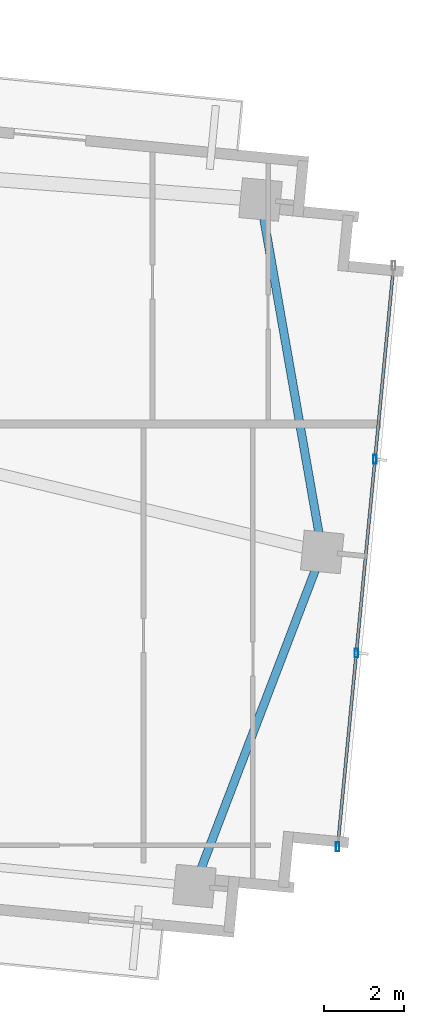
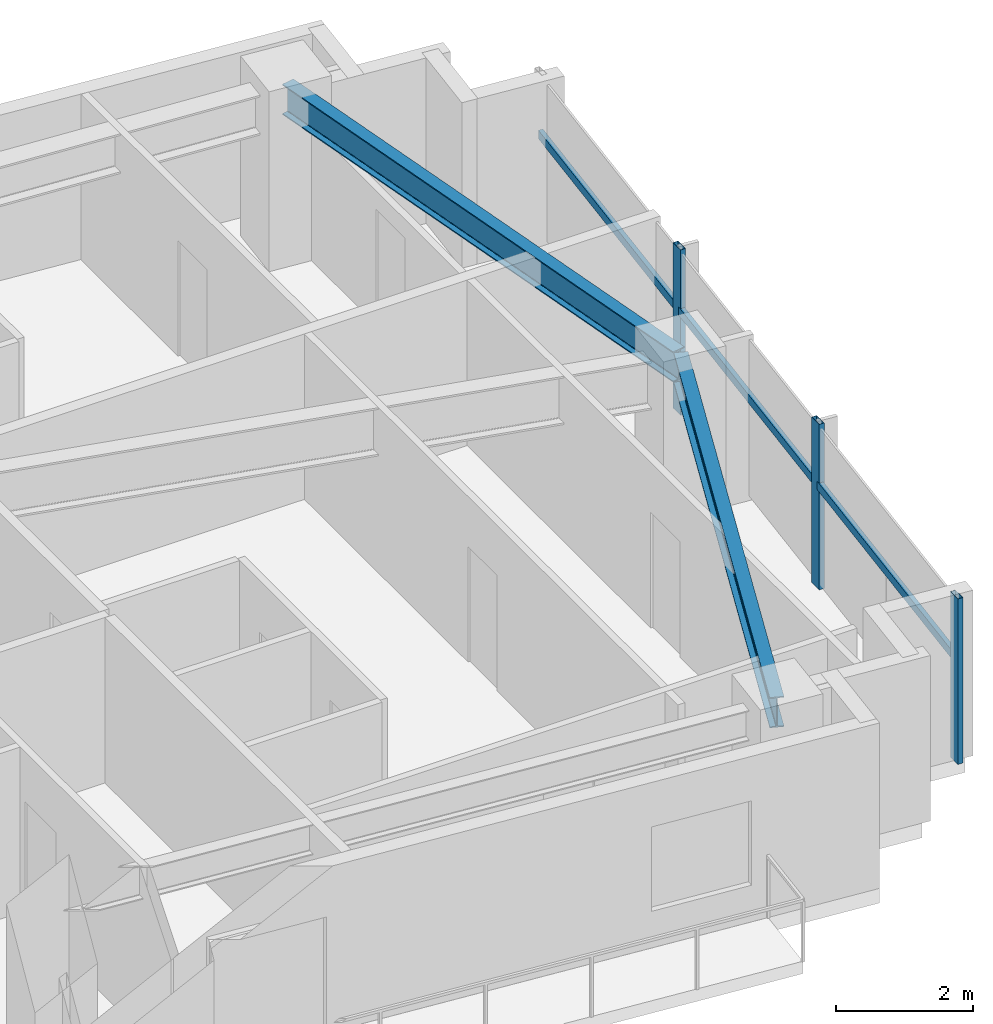
# One storey, part 10 of 19: 6 members, 2 beams, 1 element without a shape of its own.
"""IFC4 building model written with IfcOpenShell, lengths in metres."""

from ifc_helpers import new_model, si_unit, direction, frame, origin, origin_2d, place, context, subcontext, project, spatial, hollow_rectangle, i_section, extrude, source, transform, mapped, material, material_profile, profile_set, type_object, type_shapes, element, aggregate, save


model = new_model("IFC4")

# Units and contexts
model_context = context("Model", 3, precision=1e-05, world=origin(), true_north=direction((0.0, 1.0)))
body_context = subcontext(model_context, "Body", "Model", "MODEL_VIEW")
ifc_project = project(units=[si_unit("LENGTHUNIT", "METRE"), si_unit("AREAUNIT", "SQUARE_METRE"), si_unit("VOLUMEUNIT", "CUBIC_METRE"), si_unit("PLANEANGLEUNIT", "RADIAN"), si_unit("MASSUNIT", "GRAM", prefix="KILO")], contexts=[model_context])

# Site, building, storey
site_placement = place(None, origin())
site = spatial("IfcSite", under=ifc_project, at=site_placement, CompositionType="ELEMENT")
building_placement = place(site_placement, origin())
building = spatial("IfcBuilding", under=site, at=building_placement, Name="Astriad Promenade Condominiums", CompositionType="ELEMENT")
storey_placement = place(building_placement, frame((0.0, 0.0, 140.60009765625)))
storey = spatial("IfcBuildingStorey", under=building, at=storey_placement, Name="L40", CompositionType="ELEMENT", Elevation=140.60009765625)

# Beams
ifc_material_1 = material(Name="Steel ASTM A992 Grade 50", Category="steel")
ifc_material_profile_1 = material_profile(ifc_material_1, i_section(OverallWidth=0.210693359375, OverallDepth=0.53955078125, WebThickness=0.01171875, FlangeThickness=0.018798828125, FilletRadius=0.0166015625, at=origin_2d()), Name="W21X73")
ifc_profile_set_1 = profile_set([ifc_material_profile_1], Name="Steel ASTM A992 Grade 50")
beam_type = type_object("IfcBeamType", Name="STEEL SPANDREL BEAM W21X73", PredefinedType="SPANDREL", material=ifc_profile_set_1)
shared_shape_1 = source(origin(), body_context, "Body", "SweptSolid", [
    extrude(i_section(OverallWidth=0.210693359375, OverallDepth=0.53955078125, WebThickness=0.01171875, FlangeThickness=0.018798828125, FilletRadius=0.0166015625, at=origin_2d()), origin(), (0.0, 0.0, 1.0), 8.8623046875),
])
type_shapes(beam_type, [shared_shape_1])
for number, where, z_axis, x_axis, name in (
    (1, (55.081298828125, 6.033447265625, 2.670166015625), (0.357298632827, 0.933990196405, 0.0), (-0.933990196405, 0.357298632827, 0.0), "Perimeter Spandrel Beam SP-E1-L40"),
    (2, (58.25537109375, 14.3876953125, 2.670166015625), (-0.172532686951, 0.985003792852, 0.0), (-0.985003792852, -0.172532686951, 0.0), "Perimeter Spandrel Beam SP-E2-L40"),
):
    element("IfcBeam", number, at=place(storey_placement, frame(where, z_axis=z_axis, x_axis=x_axis)), inside=storey, type_object=beam_type, Name=name, PredefinedType="SPANDREL", context=body_context, shape_type="MappedRepresentation", body=[
        mapped(shared_shape_1, transform((0.0, 0.0, 0.0), scale=1.0)),
    ])

# Curtain wall, members
ifc_material_2 = material(Name="Anodised aluminium Black Dark Glass Unitised", Category="aluminium")
curtain_wall_type = type_object("IfcCurtainWallType", Name="CW-B34-DARK", PredefinedType="USERDEFINED", material=ifc_material_2)
curtain_wall_placement = place(storey_placement, origin())
curtain_wall = element("IfcCurtainWall", 3, at=curtain_wall_placement, inside=storey, type_object=curtain_wall_type, Name="CW-L40-E", ObjectType="UNITISED_CURTAIN_WALL", PredefinedType="USERDEFINED")
ifc_material_3 = material(Name="Anodised aluminium 6063-T6 Black", Category="aluminium")
ifc_material_profile_2 = material_profile(ifc_material_3, hollow_rectangle(XDim=0.0849609375, YDim=0.219970703125, WallThickness=0.0048828125, at=origin_2d()), Name="ALU-MUL-85X220")
ifc_profile_set_2 = profile_set([ifc_material_profile_2], Name="Anodised aluminium 6063-T6 Black")
member_type_1 = type_object("IfcMemberType", Name="MUL-ALU-MUL-85X220", PredefinedType="MULLION", material=ifc_profile_set_2)
shared_shape_2 = source(origin(), body_context, "Body", "SweptSolid", [
    extrude(hollow_rectangle(XDim=0.0849609375, YDim=0.219970703125, WallThickness=0.0048828125, at=origin_2d()), origin(), (0.0, 0.0, 1.0), 2.93994140625),
])
type_shapes(member_type_1, [shared_shape_2])
member_1_placement = place(storey_placement, frame((59.580322265625, 16.666015625, 0.0), z_axis=(0.0, 0.0, 1.0), x_axis=(1.0, 0.0, 0.0)))
member_1 = element("IfcMember", 4, at=member_1_placement, type_object=member_type_1, Name="CW-L40-E-MUL-01", PredefinedType="MULLION", context=body_context, shape_type="MappedRepresentation", body=[
    mapped(shared_shape_2, transform((0.0, 0.0, 0.0), scale=1.0)),
])
member_2_placement = place(storey_placement, frame((59.114013671875, 11.82177734375, 0.0), z_axis=(0.0, 0.0, 1.0), x_axis=(1.0, 0.0, 0.0)))
member_2 = element("IfcMember", 5, at=member_2_placement, type_object=member_type_1, Name="CW-L40-E-MUL-02", PredefinedType="MULLION", context=body_context, shape_type="MappedRepresentation", body=[
    mapped(shared_shape_2, transform((0.0, 0.0, 0.0), scale=1.0)),
])
member_3_placement = place(storey_placement, frame((58.6474609375, 6.977294921875, 0.0), z_axis=(0.0, 0.0, 1.0), x_axis=(1.0, 0.0, 0.0)))
member_3 = element("IfcMember", 6, at=member_3_placement, type_object=member_type_1, Name="CW-L40-E-MUL-03", PredefinedType="MULLION", context=body_context, shape_type="MappedRepresentation", body=[
    mapped(shared_shape_2, transform((0.0, 0.0, 0.0), scale=1.0)),
])
ifc_material_profile_3 = material_profile(ifc_material_3, hollow_rectangle(XDim=0.074951171875, YDim=0.14990234375, WallThickness=0.004150390625, at=origin_2d()), Name="ALU-TRN-75X150")
ifc_profile_set_3 = profile_set([ifc_material_profile_3], Name="Anodised aluminium 6063-T6 Black")
member_type_2 = type_object("IfcMemberType", Name="TRN-ALU-TRN-75X150", PredefinedType="USERDEFINED", material=ifc_profile_set_3)
shared_shape_3 = source(origin(), body_context, "Body", "SweptSolid", [
    extrude(hollow_rectangle(XDim=0.074951171875, YDim=0.14990234375, WallThickness=0.004150390625, at=origin_2d()), origin(), (0.0, 0.0, 1.0), 4.86669921875),
])
member_4_placement = place(storey_placement, frame((60.046875, 21.51025390625, 1.82275390625), z_axis=(-0.095867260207, -0.995394127178, 0.0), x_axis=(0.995394127178, -0.095867260207, 0.0)))
member_4 = element("IfcMember", 7, at=member_4_placement, type_object=member_type_2, Name="CW-L40-E-TRN-00-0", ObjectType="TRANSOM", PredefinedType="USERDEFINED", context=body_context, shape_type="MappedRepresentation", body=[
    mapped(shared_shape_3, transform((0.0, 0.0, 0.0), scale=1.0)),
])
member_5_placement = place(storey_placement, frame((59.580322265625, 16.666015625, 1.82275390625), z_axis=(-0.095817554883, -0.995398913088, 0.0), x_axis=(0.995398913088, -0.095817554883, 0.0)))
member_5 = element("IfcMember", 8, at=member_5_placement, type_object=member_type_2, Name="CW-L40-E-TRN-01-0", ObjectType="TRANSOM", PredefinedType="USERDEFINED", context=body_context, shape_type="MappedRepresentation", body=[
    mapped(shared_shape_3, transform((0.0, 0.0, 0.0), scale=1.0)),
])
shared_shape_4 = source(origin(), body_context, "Body", "SweptSolid", [
    extrude(hollow_rectangle(XDim=0.074951171875, YDim=0.14990234375, WallThickness=0.004150390625, at=origin_2d()), origin(), (0.0, 0.0, 1.0), 4.866943359375),
])
type_shapes(member_type_2, [shared_shape_3, shared_shape_4])
member_6_placement = place(storey_placement, frame((59.114013671875, 11.82177734375, 1.82275390625), z_axis=(-0.095862473318, -0.995394588196, 0.0), x_axis=(0.995394588196, -0.095862473318, 0.0)))
member_6 = element("IfcMember", 9, at=member_6_placement, type_object=member_type_2, Name="CW-L40-E-TRN-02-0", ObjectType="TRANSOM", PredefinedType="USERDEFINED", context=body_context, shape_type="MappedRepresentation", body=[
    mapped(shared_shape_4, transform((0.0, 0.0, 0.0), scale=1.0)),
])
aggregate(curtain_wall, [member_1, member_2, member_3, member_4, member_5, member_6])

save(model, "model.ifc")
